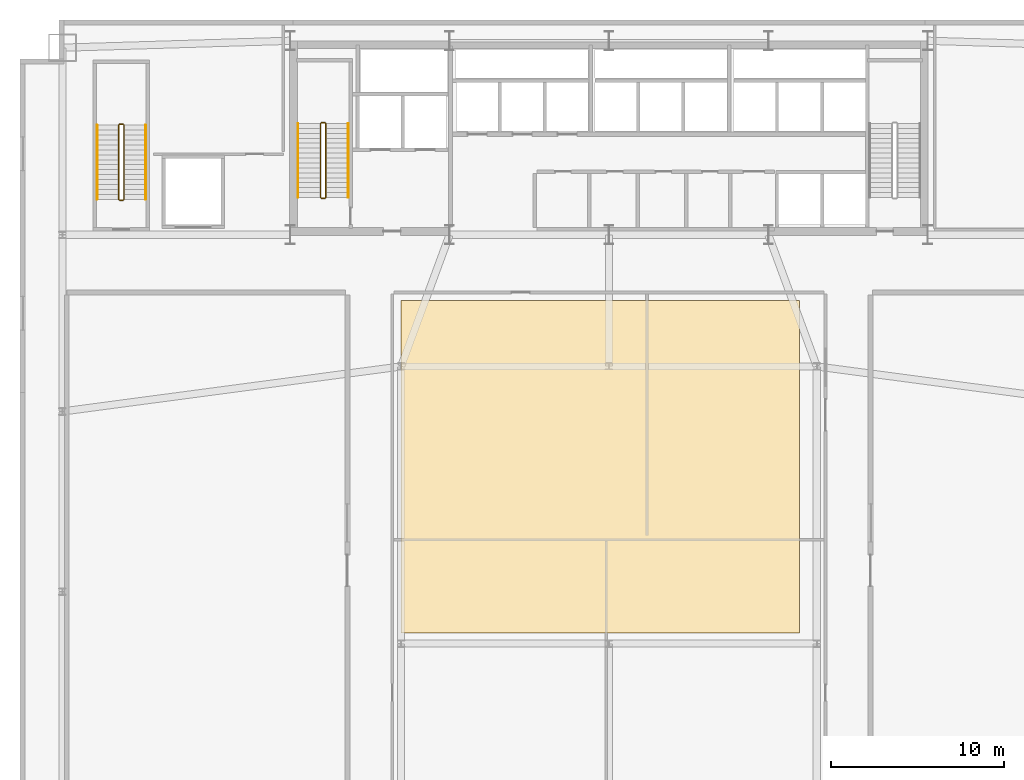
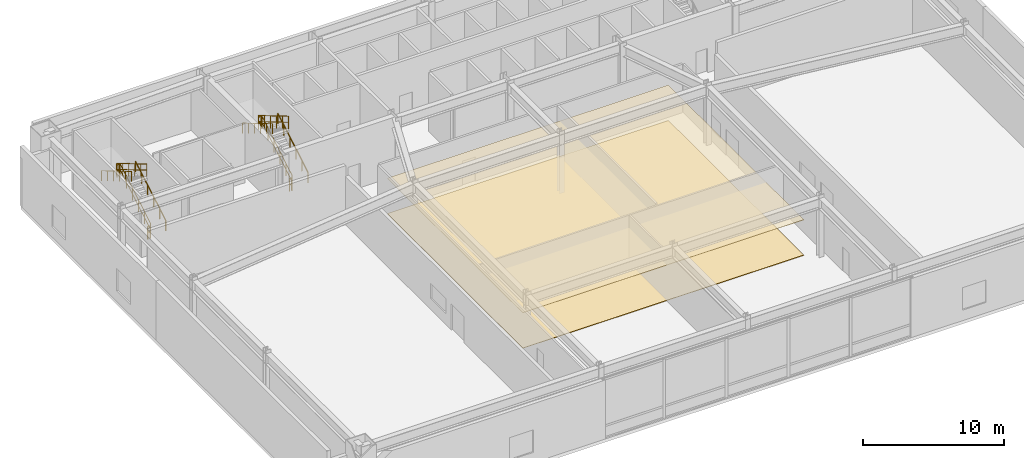
# One storey, part 11 of 12: 12 railings, 2 coverings.
"""IFC4 building model written with IfcOpenShell, lengths in metres."""

import ifcopenshell
import ifcopenshell.guid

model = None  # the IFC model being written
_history = None  # IfcOwnerHistory: only IFC2X3 demands one
_inside = {}  # id of a spatial element -> (the spatial element, [elements in it])
_under = {}  # id of a project, library or spatial element -> (it, [spatial elements below it])
_declared = {}  # id of a project -> (the project, [libraries it declares])
_typed = {}  # id of a type object -> (the type object, [elements of that type])
_made_of = {}  # id of a material, layer set ... -> (it, [elements and type objects made of it])


def new_model(schema):
    """Start an empty IFC model of exactly this schema.

    Asked for "IFC4X3", IfcOpenShell would pick the latest addendum, in which some entities
    have other attributes; the version numbers below select the first issue.
    IFC2X3 requires an IfcOwnerHistory on every rooted entity: one is made here for all.
    """
    global model, _history
    if schema == "IFC4X3":
        model = ifcopenshell.file(schema_version=(4, 3, 0, 0))
    else:
        model = ifcopenshell.file(schema=schema)
    _inside.clear()
    _under.clear()
    _declared.clear()
    _typed.clear()
    _made_of.clear()
    _history = None
    if model.schema == "IFC2X3":
        org = make("IfcOrganization", Name="unknown")
        user = make(
            "IfcPersonAndOrganization",
            ThePerson=make("IfcPerson", FamilyName="unknown"),
            TheOrganization=org,
        )
        app = make(
            "IfcApplication",
            ApplicationDeveloper=org,
            Version="unknown",
            ApplicationFullName="unknown",
            ApplicationIdentifier="unknown",
        )
        _history = make(
            "IfcOwnerHistory",
            OwningUser=user,
            OwningApplication=app,
            ChangeAction="ADDED",
            CreationDate=0,
        )
    return model


def make(cls, **values):
    """One entity of the class cls with the attributes given. An attribute that is None is left unset."""
    return model.create_entity(
        cls, **{name: value for name, value in values.items() if value is not None}
    )


def rooted(cls, **values):
    """An entity with a GlobalId (a new one), such as an element, a storey or a relation."""
    return make(cls, GlobalId=ifcopenshell.guid.new(), OwnerHistory=_history, **values)


def si_unit(unit_type, name, prefix=None):
    """IfcSIUnit, for example si_unit("LENGTHUNIT", "METRE", prefix="MILLI")."""
    return make("IfcSIUnit", UnitType=unit_type, Prefix=prefix, Name=name)


def assignment(units):
    """IfcUnitAssignment: the units of a project."""
    return None if units is None else make("IfcUnitAssignment", Units=units)


def point(xyz):
    """IfcCartesianPoint."""
    return None if xyz is None else make("IfcCartesianPoint", Coordinates=xyz)


def direction(xyz):
    """IfcDirection."""
    return None if xyz is None else make("IfcDirection", DirectionRatios=xyz)


def frame(location, z_axis=None, x_axis=None):
    """IfcAxis2Placement3D, a coordinate frame: its origin and axes. An axis left out is left unset."""
    return make(
        "IfcAxis2Placement3D",
        Location=point(location),
        Axis=direction(z_axis),
        RefDirection=direction(x_axis),
    )


def frame_2d(location, x_axis=None):
    """IfcAxis2Placement2D, a coordinate frame in the plane: its origin and x axis."""
    return make(
        "IfcAxis2Placement2D", Location=point(location), RefDirection=direction(x_axis)
    )


def origin():
    """The frame at (0, 0, 0) with its axes left unset."""
    return frame((0.0, 0.0, 0.0))


def origin_2d():
    """The frame at (0, 0) in the plane with its x axis left unset."""
    return frame_2d((0.0, 0.0))


def place(relative_to, where):
    """IfcLocalPlacement: puts the frame where relative to a parent placement (None: the world)."""
    return make(
        "IfcLocalPlacement", PlacementRelTo=relative_to, RelativePlacement=where
    )


def context(
    kind, dimensions, precision=None, world=None, true_north=None, identifier=None
):
    """IfcGeometricRepresentationContext, for example the 3D "Model" context."""
    return make(
        "IfcGeometricRepresentationContext",
        ContextIdentifier=identifier,
        ContextType=kind,
        CoordinateSpaceDimension=dimensions,
        Precision=precision,
        WorldCoordinateSystem=world,
        TrueNorth=true_north,
    )


def subcontext(parent, identifier, kind, view, scale=None):
    """IfcGeometricRepresentationSubContext, for example "Body" below "Model"."""
    return make(
        "IfcGeometricRepresentationSubContext",
        ContextIdentifier=identifier,
        ContextType=kind,
        ParentContext=parent,
        TargetScale=scale,
        TargetView=view,
    )


def project(units=None, contexts=None):
    """IfcProject with its units and contexts."""
    return rooted(
        "IfcProject",
        Name="project",
        RepresentationContexts=contexts,
        UnitsInContext=assignment(units),
    )


def spatial(cls, under=None, at=None, **own):
    """A site, building, storey or space (cls), placed at a placement, below another one or the project."""
    s = rooted(cls, ObjectPlacement=at, **own)
    if under is not None:
        _under.setdefault(under.id(), (under, []))[1].append(s)
    return s


def polyline(points):
    """IfcPolyline through the points."""
    return make("IfcPolyline", Points=[point(p) for p in points])


def profile(cls, at=None, kind="AREA", **sizes):
    """A parametric profile (cls). Its sizes go by their IFC names, for example OverallWidth=200.0."""
    return make(cls, ProfileType=kind, Position=at, **sizes)


def rectangle(**sizes):
    """IfcRectangleProfileDef."""
    return profile("IfcRectangleProfileDef", **sizes)


def outline(outer, holes=None, kind="AREA"):
    """IfcArbitraryClosedProfileDef: a profile drawn as a closed curve; with holes, ...WithVoids."""
    if holes is None:
        return make("IfcArbitraryClosedProfileDef", ProfileType=kind, OuterCurve=outer)
    return make(
        "IfcArbitraryProfileDefWithVoids",
        ProfileType=kind,
        OuterCurve=outer,
        InnerCurves=holes,
    )


def extrude(swept, where, along, depth):
    """IfcExtrudedAreaSolid: the profile swept, set in the frame where, extruded along a direction by depth."""
    return make(
        "IfcExtrudedAreaSolid",
        SweptArea=swept,
        Position=where,
        ExtrudedDirection=direction(along),
        Depth=depth,
    )


def shape(context_of_items, identifier, shape_type, items):
    """IfcShapeRepresentation: the items that make up one representation, for example the "Body"."""
    return make(
        "IfcShapeRepresentation",
        ContextOfItems=context_of_items,
        RepresentationIdentifier=identifier,
        RepresentationType=shape_type,
        Items=items,
    )


def material(Name=None, Category=None):
    """IfcMaterial."""
    return make("IfcMaterial", Name=Name, Category=Category)


def layer(
    of_material, thickness, ventilated=None, Name=None, Category=None, Priority=None
):
    """IfcMaterialLayer: one layer of a wall or slab, of a material (None: an air gap)."""
    return make(
        "IfcMaterialLayer",
        Material=of_material,
        LayerThickness=thickness,
        IsVentilated=ventilated,
        Name=Name,
        Category=Category,
        Priority=Priority,
    )


def layer_set(layers, Name=None):
    """IfcMaterialLayerSet."""
    return make("IfcMaterialLayerSet", MaterialLayers=layers, LayerSetName=Name)


def made_of(thing, what):
    """Note that an element or type object is made of a material, layer set ...; save() writes the relation."""
    if what is not None:
        _made_of.setdefault(what.id(), (what, []))[1].append(thing)
    return thing


def type_object(cls, material=None, **own):
    """A type object (cls), such as IfcWallType, which elements share."""
    return made_of(rooted(cls, **own), material)


def element(
    cls,
    number,
    at=None,
    inside=None,
    cuts=None,
    type_object=None,
    material=None,
    context=None,
    identifier="Body",
    shape_type=None,
    held_by="IfcProductDefinitionShape",
    body=None,
    shapes=None,
    **own,
):
    """One element of the class cls, such as IfcWall. Its Tag is "e" and its number.

    at: its placement. inside: the storey or other place that contains it. cuts: it is an
    opening in that element (IfcRelVoidsElement). A single representation is given by context,
    identifier, shape_type and body (its items); several are given by shapes. held_by: the class
    of the entity that holds the representations. save() writes the other relations.
    """
    e = rooted(cls, Tag="e%d" % number, ObjectPlacement=at, **own)
    if body is not None:
        shapes = [shape(context, identifier, shape_type, body)]
    if shapes is not None:
        e.Representation = make(held_by, Representations=shapes)
    if inside is not None:
        _inside.setdefault(inside.id(), (inside, []))[1].append(e)
    if cuts is not None:
        rooted(
            "IfcRelVoidsElement", RelatingBuildingElement=cuts, RelatedOpeningElement=e
        )
    if type_object is not None:
        _typed.setdefault(type_object.id(), (type_object, []))[1].append(e)
    return made_of(e, material)


def aggregate(whole, parts):
    """IfcRelAggregates: a whole, such as a stair, and the parts it consists of."""
    return rooted("IfcRelAggregates", RelatingObject=whole, RelatedObjects=parts)


def save(model, path):
    """Write the relations noted so far, then the file.

    IfcRelAggregates (storeys below a building ...), IfcRelContainedInSpatialStructure (elements
    in a storey), IfcRelDefinesByType, IfcRelAssociatesMaterial and IfcRelDeclares: one each for
    every whole, place, type object, material and project.
    """
    for whole, parts in _under.values():
        aggregate(whole, parts)
    for where, things in _inside.values():
        rooted(
            "IfcRelContainedInSpatialStructure",
            RelatedElements=things,
            RelatingStructure=where,
        )
    for kind, things in _typed.values():
        rooted("IfcRelDefinesByType", RelatedObjects=things, RelatingType=kind)
    for what, things in _made_of.values():
        rooted("IfcRelAssociatesMaterial", RelatedObjects=things, RelatingMaterial=what)
    for by, libraries in _declared.values():
        rooted("IfcRelDeclares", RelatingContext=by, RelatedDefinitions=libraries)
    model.write(path)


model = new_model("IFC4")

# Units and contexts
model_context = context("Model", 3, precision=1e-05, world=origin(), true_north=direction((0.0, 1.0)))
body_context = subcontext(model_context, "Body", "Model", "MODEL_VIEW")
ifc_project = project(units=[si_unit("LENGTHUNIT", "METRE"), si_unit("AREAUNIT", "SQUARE_METRE"), si_unit("VOLUMEUNIT", "CUBIC_METRE"), si_unit("PLANEANGLEUNIT", "RADIAN"), si_unit("MASSUNIT", "GRAM", prefix="KILO")], contexts=[model_context])

# Site, building, storey
site_placement = place(None, origin())
site = spatial("IfcSite", under=ifc_project, at=site_placement, CompositionType="ELEMENT")
building_placement = place(site_placement, origin())
building = spatial("IfcBuilding", under=site, at=building_placement, Name="Varnel Quay Broadcast Tower", CompositionType="ELEMENT")
storey_placement = place(building_placement, frame((0.0, 0.0, 11.39990234375)))
storey = spatial("IfcBuildingStorey", under=building, at=storey_placement, Name="L02", CompositionType="ELEMENT", Elevation=11.39990234375)

# Coverings
ifc_material_1 = material(Name="Micro-Perforated Acoustic Ceiling Tile")
ifc_layer_1 = layer(ifc_material_1, 0.0400390625, Name="Micro-Perforated Acoustic Ceiling Tile")
ifc_layer_set_1 = layer_set([ifc_layer_1], Name="Micro-Perforated Acoustic Ceiling Tile")
covering_type_1 = type_object("IfcCoveringType", Name="Cov_AcousticCeiling", PredefinedType="CEILING", material=ifc_layer_set_1)
covering_1_placement = place(storey_placement, frame((0.0, 0.0, 3.06005859375)))
element("IfcCovering", 1, at=covering_1_placement, inside=storey, type_object=covering_type_1, Name="L02 Acoustic Suspended Ceiling", PredefinedType="CEILING", context=body_context, shape_type="SweptSolid", body=[
    extrude(outline(polyline([(22.0, 12.60009765625), (45.0, 12.60009765625), (45.0, 31.800048828125), (22.0, 31.800048828125), (22.0, 12.60009765625)])), origin(), (0.0, 0.0, 1.0), 0.0400390625),
])
ifc_material_2 = material(Name="Polished Terrazzo & Broadcast Raised Flooring")
ifc_layer_2 = layer(ifc_material_2, 0.0400390625, Name="Polished Terrazzo & Broadcast Raised Flooring")
ifc_layer_set_2 = layer_set([ifc_layer_2], Name="Polished Terrazzo & Broadcast Raised Flooring")
covering_type_2 = type_object("IfcCoveringType", Name="Cov_TerrazzoFloor", PredefinedType="FLOORING", material=ifc_layer_set_2)
covering_2_placement = place(storey_placement, origin())
element("IfcCovering", 2, at=covering_2_placement, inside=storey, type_object=covering_type_2, Name="L02 Broadcast Raised Terrazzo Flooring", PredefinedType="FLOORING", context=body_context, shape_type="SweptSolid", body=[
    extrude(outline(polyline([(22.0, 12.60009765625), (45.0, 12.60009765625), (45.0, 31.800048828125), (22.0, 31.800048828125), (22.0, 12.60009765625)])), origin(), (0.0, 0.0, 1.0), 0.0400390625),
])

# Railings
ifc_material_3 = material(Name="Painted Steel Guard and Handrail CSA G40.21 350W", Category="steel")
railing_type_1 = type_object("IfcRailingType", Name="Rail_StairGuard1100", PredefinedType="GUARDRAIL", material=ifc_material_3)
railing_1_placement = place(storey_placement, frame((17.64990234375, 37.75, 0.1689453125)))
element("IfcRailing", 3, at=railing_1_placement, inside=storey, type_object=railing_type_1, Name="L02 ST-01 stair guard 1", PredefinedType="GUARDRAIL", context=body_context, shape_type="SweptSolid", body=[
    extrude(rectangle(XDim=0.048095703125, YDim=0.048095703125, at=origin_2d()), frame((0.0, 0.0, 1.076171875), z_axis=(0.0, 0.860470286479, 0.509500624227), x_axis=(-1.0, 0.0, 0.0)), (0.0, 0.0, 1.0), 4.968017578125),
    extrude(rectangle(XDim=0.048095703125, YDim=0.048095703125, at=origin_2d()), frame((0.0, 0.0, 0.550048828125), z_axis=(0.0, 0.860470286479, 0.509500624227), x_axis=(-1.0, 0.0, 0.0)), (0.0, 0.0, 1.0), 4.968017578125),
    extrude(rectangle(XDim=0.0419921875, YDim=0.0419921875, at=origin_2d()), origin(), (0.0, 0.0, 1.0), 1.052001953125),
    extrude(rectangle(XDim=0.0419921875, YDim=0.0419921875, at=origin_2d()), frame((0.0, 0.85498046875, 0.50634765625)), (0.0, 0.0, 1.0), 1.052001953125),
    extrude(rectangle(XDim=0.0419921875, YDim=0.0419921875, at=origin_2d()), frame((0.0, 1.7099609375, 1.012451171875)), (0.0, 0.0, 1.0), 1.052001953125),
    extrude(rectangle(XDim=0.0419921875, YDim=0.0419921875, at=origin_2d()), frame((0.0, 2.56494140625, 1.518798828125)), (0.0, 0.0, 1.0), 1.052001953125),
    extrude(rectangle(XDim=0.0419921875, YDim=0.0419921875, at=origin_2d()), frame((0.0, 3.419921875, 2.02490234375)), (0.0, 0.0, 1.0), 1.052001953125),
    extrude(rectangle(XDim=0.0419921875, YDim=0.0419921875, at=origin_2d()), frame((0.0, 4.27490234375, 2.53125)), (0.0, 0.0, 1.0), 1.052001953125),
])
railing_2_placement = place(storey_placement, frame((17.60009765625, 42.074951171875, 2.7001953125)))
element("IfcRailing", 4, at=railing_2_placement, inside=storey, type_object=railing_type_1, Name="L02 ST-01 stair guard 2", PredefinedType="GUARDRAIL", context=body_context, shape_type="SweptSolid", body=[
    extrude(rectangle(XDim=0.048095703125, YDim=0.048095703125, at=origin_2d()), frame((0.0, 0.0, 1.076171875), z_axis=(-1.0, 0.0, 0.0), x_axis=(0.0, -1.0, 0.0)), (0.0, 0.0, 1.0), 0.2001953125),
    extrude(rectangle(XDim=0.048095703125, YDim=0.048095703125, at=origin_2d()), frame((0.0, 0.0, 0.550048828125), z_axis=(-1.0, 0.0, 0.0), x_axis=(0.0, -1.0, 0.0)), (0.0, 0.0, 1.0), 0.2001953125),
    extrude(rectangle(XDim=0.0419921875, YDim=0.0419921875, at=origin_2d()), origin(), (0.0, 0.0, 1.0), 1.052001953125),
    extrude(rectangle(XDim=0.0419921875, YDim=0.0419921875, at=origin_2d()), frame((-0.2001953125, 0.0, 0.0)), (0.0, 0.0, 1.0), 1.052001953125),
])
railing_3_placement = place(storey_placement, frame((17.35009765625, 42.02490234375, 2.868896484375)))
element("IfcRailing", 5, at=railing_3_placement, inside=storey, type_object=railing_type_1, Name="L02 ST-01 stair guard 3", PredefinedType="GUARDRAIL", context=body_context, shape_type="SweptSolid", body=[
    extrude(rectangle(XDim=0.048095703125, YDim=0.048095703125, at=origin_2d()), frame((0.0, 0.0, 1.076171875), z_axis=(0.0, -0.860470286479, 0.509500624227), x_axis=(1.0, 0.0, 0.0)), (0.0, 0.0, 1.0), 4.968017578125),
    extrude(rectangle(XDim=0.048095703125, YDim=0.048095703125, at=origin_2d()), frame((0.0, 0.0, 0.550048828125), z_axis=(0.0, -0.860470286479, 0.509500624227), x_axis=(1.0, 0.0, 0.0)), (0.0, 0.0, 1.0), 4.968017578125),
    extrude(rectangle(XDim=0.0419921875, YDim=0.0419921875, at=origin_2d()), origin(), (0.0, 0.0, 1.0), 1.052001953125),
    extrude(rectangle(XDim=0.0419921875, YDim=0.0419921875, at=origin_2d()), frame((0.0, -0.85498046875, 0.50634765625)), (0.0, 0.0, 1.0), 1.052001953125),
    extrude(rectangle(XDim=0.0419921875, YDim=0.0419921875, at=origin_2d()), frame((0.0, -1.7099609375, 1.012451171875)), (0.0, 0.0, 1.0), 1.052001953125),
    extrude(rectangle(XDim=0.0419921875, YDim=0.0419921875, at=origin_2d()), frame((0.0, -2.56494140625, 1.518798828125)), (0.0, 0.0, 1.0), 1.052001953125),
    extrude(rectangle(XDim=0.0419921875, YDim=0.0419921875, at=origin_2d()), frame((0.0, -3.419921875, 2.02490234375)), (0.0, 0.0, 1.0), 1.052001953125),
    extrude(rectangle(XDim=0.0419921875, YDim=0.0419921875, at=origin_2d()), frame((0.0, -4.27490234375, 2.53125)), (0.0, 0.0, 1.0), 1.052001953125),
])
railing_4_placement = place(storey_placement, frame((17.60009765625, 37.699951171875, 0.0)))
element("IfcRailing", 6, at=railing_4_placement, inside=storey, type_object=railing_type_1, Name="L02 ST-01 stair guard 4", PredefinedType="GUARDRAIL", context=body_context, shape_type="SweptSolid", body=[
    extrude(rectangle(XDim=0.048095703125, YDim=0.048095703125, at=origin_2d()), frame((0.0, 0.0, 1.076171875), z_axis=(-1.0, 0.0, 0.0), x_axis=(0.0, -1.0, 0.0)), (0.0, 0.0, 1.0), 0.2001953125),
    extrude(rectangle(XDim=0.048095703125, YDim=0.048095703125, at=origin_2d()), frame((0.0, 0.0, 0.550048828125), z_axis=(-1.0, 0.0, 0.0), x_axis=(0.0, -1.0, 0.0)), (0.0, 0.0, 1.0), 0.2001953125),
    extrude(rectangle(XDim=0.0419921875, YDim=0.0419921875, at=origin_2d()), origin(), (0.0, 0.0, 1.0), 1.052001953125),
    extrude(rectangle(XDim=0.0419921875, YDim=0.0419921875, at=origin_2d()), frame((-0.2001953125, 0.0, 0.0)), (0.0, 0.0, 1.0), 1.052001953125),
])
railing_5_placement = place(storey_placement, frame((6.0, 37.64990234375, 0.1689453125)))
element("IfcRailing", 7, at=railing_5_placement, inside=storey, type_object=railing_type_1, Name="L02 ST-03 stair guard 1", PredefinedType="GUARDRAIL", context=body_context, shape_type="SweptSolid", body=[
    extrude(rectangle(XDim=0.048095703125, YDim=0.048095703125, at=origin_2d()), frame((0.0, 0.0, 1.076171875), z_axis=(0.0, 0.860483042394, 0.50947908078), x_axis=(-1.0, 0.0, 0.0)), (0.0, 0.0, 1.0), 4.96826171875),
    extrude(rectangle(XDim=0.048095703125, YDim=0.048095703125, at=origin_2d()), frame((0.0, 0.0, 0.550048828125), z_axis=(0.0, 0.860483042394, 0.50947908078), x_axis=(-1.0, 0.0, 0.0)), (0.0, 0.0, 1.0), 4.96826171875),
    extrude(rectangle(XDim=0.0419921875, YDim=0.0419921875, at=origin_2d()), origin(), (0.0, 0.0, 1.0), 1.052001953125),
    extrude(rectangle(XDim=0.0419921875, YDim=0.0419921875, at=origin_2d()), frame((0.0, 0.85498046875, 0.50634765625)), (0.0, 0.0, 1.0), 1.052001953125),
    extrude(rectangle(XDim=0.0419921875, YDim=0.0419921875, at=origin_2d()), frame((0.0, 1.7099609375, 1.012451171875)), (0.0, 0.0, 1.0), 1.052001953125),
    extrude(rectangle(XDim=0.0419921875, YDim=0.0419921875, at=origin_2d()), frame((0.0, 2.565185546875, 1.518798828125)), (0.0, 0.0, 1.0), 1.052001953125),
    extrude(rectangle(XDim=0.0419921875, YDim=0.0419921875, at=origin_2d()), frame((0.0, 3.420166015625, 2.02490234375)), (0.0, 0.0, 1.0), 1.052001953125),
    extrude(rectangle(XDim=0.0419921875, YDim=0.0419921875, at=origin_2d()), frame((0.0, 4.275146484375, 2.53125)), (0.0, 0.0, 1.0), 1.052001953125),
])
railing_6_placement = place(storey_placement, frame((5.949951171875, 41.97509765625, 2.7001953125)))
element("IfcRailing", 8, at=railing_6_placement, inside=storey, type_object=railing_type_1, Name="L02 ST-03 stair guard 2", PredefinedType="GUARDRAIL", context=body_context, shape_type="SweptSolid", body=[
    extrude(rectangle(XDim=0.048095703125, YDim=0.048095703125, at=origin_2d()), frame((0.0, 0.0, 1.076171875), z_axis=(-1.0, 0.0, 0.0), x_axis=(0.0, -1.0, 0.0)), (0.0, 0.0, 1.0), 0.199951171875),
    extrude(rectangle(XDim=0.048095703125, YDim=0.048095703125, at=origin_2d()), frame((0.0, 0.0, 0.550048828125), z_axis=(-1.0, 0.0, 0.0), x_axis=(0.0, -1.0, 0.0)), (0.0, 0.0, 1.0), 0.199951171875),
    extrude(rectangle(XDim=0.0419921875, YDim=0.0419921875, at=origin_2d()), origin(), (0.0, 0.0, 1.0), 1.052001953125),
    extrude(rectangle(XDim=0.0419921875, YDim=0.0419921875, at=origin_2d()), frame((-0.199951171875, 0.0, 0.0)), (0.0, 0.0, 1.0), 1.052001953125),
])
railing_7_placement = place(storey_placement, frame((5.699951171875, 41.925048828125, 2.868896484375)))
element("IfcRailing", 9, at=railing_7_placement, inside=storey, type_object=railing_type_1, Name="L02 ST-03 stair guard 3", PredefinedType="GUARDRAIL", context=body_context, shape_type="SweptSolid", body=[
    extrude(rectangle(XDim=0.048095703125, YDim=0.048095703125, at=origin_2d()), frame((0.0, 0.0, 1.076171875), z_axis=(0.0, -0.860483042394, 0.50947908078), x_axis=(1.0, 0.0, 0.0)), (0.0, 0.0, 1.0), 4.96826171875),
    extrude(rectangle(XDim=0.048095703125, YDim=0.048095703125, at=origin_2d()), frame((0.0, 0.0, 0.550048828125), z_axis=(0.0, -0.860483042394, 0.50947908078), x_axis=(1.0, 0.0, 0.0)), (0.0, 0.0, 1.0), 4.96826171875),
    extrude(rectangle(XDim=0.0419921875, YDim=0.0419921875, at=origin_2d()), origin(), (0.0, 0.0, 1.0), 1.052001953125),
    extrude(rectangle(XDim=0.0419921875, YDim=0.0419921875, at=origin_2d()), frame((0.0, -0.85498046875, 0.50634765625)), (0.0, 0.0, 1.0), 1.052001953125),
    extrude(rectangle(XDim=0.0419921875, YDim=0.0419921875, at=origin_2d()), frame((0.0, -1.7099609375, 1.012451171875)), (0.0, 0.0, 1.0), 1.052001953125),
    extrude(rectangle(XDim=0.0419921875, YDim=0.0419921875, at=origin_2d()), frame((0.0, -2.565185546875, 1.518798828125)), (0.0, 0.0, 1.0), 1.052001953125),
    extrude(rectangle(XDim=0.0419921875, YDim=0.0419921875, at=origin_2d()), frame((0.0, -3.420166015625, 2.02490234375)), (0.0, 0.0, 1.0), 1.052001953125),
    extrude(rectangle(XDim=0.0419921875, YDim=0.0419921875, at=origin_2d()), frame((0.0, -4.275146484375, 2.53125)), (0.0, 0.0, 1.0), 1.052001953125),
])
railing_8_placement = place(storey_placement, frame((5.949951171875, 37.60009765625, 0.0)))
element("IfcRailing", 10, at=railing_8_placement, inside=storey, type_object=railing_type_1, Name="L02 ST-03 stair guard 4", PredefinedType="GUARDRAIL", context=body_context, shape_type="SweptSolid", body=[
    extrude(rectangle(XDim=0.048095703125, YDim=0.048095703125, at=origin_2d()), frame((0.0, 0.0, 1.076171875), z_axis=(-1.0, 0.0, 0.0), x_axis=(0.0, -1.0, 0.0)), (0.0, 0.0, 1.0), 0.199951171875),
    extrude(rectangle(XDim=0.048095703125, YDim=0.048095703125, at=origin_2d()), frame((0.0, 0.0, 0.550048828125), z_axis=(-1.0, 0.0, 0.0), x_axis=(0.0, -1.0, 0.0)), (0.0, 0.0, 1.0), 0.199951171875),
    extrude(rectangle(XDim=0.0419921875, YDim=0.0419921875, at=origin_2d()), origin(), (0.0, 0.0, 1.0), 1.052001953125),
    extrude(rectangle(XDim=0.0419921875, YDim=0.0419921875, at=origin_2d()), frame((-0.199951171875, 0.0, 0.0)), (0.0, 0.0, 1.0), 1.052001953125),
])
railing_type_2 = type_object("IfcRailingType", Name="Rail_StairHandrail900", PredefinedType="HANDRAIL", material=ifc_material_3)
railing_9_placement = place(storey_placement, frame((18.949951171875, 37.75, 0.1689453125)))
element("IfcRailing", 11, at=railing_9_placement, inside=storey, type_object=railing_type_2, Name="L02 ST-01 stair handrail 1", PredefinedType="HANDRAIL", context=body_context, shape_type="SweptSolid", body=[
    extrude(rectangle(XDim=0.048095703125, YDim=0.048095703125, at=origin_2d()), frame((0.0, 0.0, 0.8759765625), z_axis=(0.0, 0.860470286479, 0.509500624227), x_axis=(-1.0, 0.0, 0.0)), (0.0, 0.0, 1.0), 4.968017578125),
    extrude(rectangle(XDim=0.0419921875, YDim=0.0419921875, at=origin_2d()), origin(), (0.0, 0.0, 1.0), 0.851806640625),
    extrude(rectangle(XDim=0.0419921875, YDim=0.0419921875, at=origin_2d()), frame((0.0, 0.85498046875, 0.50634765625)), (0.0, 0.0, 1.0), 0.851806640625),
    extrude(rectangle(XDim=0.0419921875, YDim=0.0419921875, at=origin_2d()), frame((0.0, 1.7099609375, 1.012451171875)), (0.0, 0.0, 1.0), 0.851806640625),
    extrude(rectangle(XDim=0.0419921875, YDim=0.0419921875, at=origin_2d()), frame((0.0, 2.56494140625, 1.518798828125)), (0.0, 0.0, 1.0), 0.851806640625),
    extrude(rectangle(XDim=0.0419921875, YDim=0.0419921875, at=origin_2d()), frame((0.0, 3.419921875, 2.02490234375)), (0.0, 0.0, 1.0), 0.851806640625),
    extrude(rectangle(XDim=0.0419921875, YDim=0.0419921875, at=origin_2d()), frame((0.0, 4.27490234375, 2.53125)), (0.0, 0.0, 1.0), 0.851806640625),
])
railing_10_placement = place(storey_placement, frame((16.050048828125, 42.02490234375, 2.868896484375)))
element("IfcRailing", 12, at=railing_10_placement, inside=storey, type_object=railing_type_2, Name="L02 ST-01 stair handrail 2", PredefinedType="HANDRAIL", context=body_context, shape_type="SweptSolid", body=[
    extrude(rectangle(XDim=0.048095703125, YDim=0.048095703125, at=origin_2d()), frame((0.0, 0.0, 0.8759765625), z_axis=(0.0, -0.860470286479, 0.509500624227), x_axis=(1.0, 0.0, 0.0)), (0.0, 0.0, 1.0), 4.968017578125),
    extrude(rectangle(XDim=0.0419921875, YDim=0.0419921875, at=origin_2d()), origin(), (0.0, 0.0, 1.0), 0.851806640625),
    extrude(rectangle(XDim=0.0419921875, YDim=0.0419921875, at=origin_2d()), frame((0.0, -0.85498046875, 0.50634765625)), (0.0, 0.0, 1.0), 0.851806640625),
    extrude(rectangle(XDim=0.0419921875, YDim=0.0419921875, at=origin_2d()), frame((0.0, -1.7099609375, 1.012451171875)), (0.0, 0.0, 1.0), 0.851806640625),
    extrude(rectangle(XDim=0.0419921875, YDim=0.0419921875, at=origin_2d()), frame((0.0, -2.56494140625, 1.518798828125)), (0.0, 0.0, 1.0), 0.851806640625),
    extrude(rectangle(XDim=0.0419921875, YDim=0.0419921875, at=origin_2d()), frame((0.0, -3.419921875, 2.02490234375)), (0.0, 0.0, 1.0), 0.851806640625),
    extrude(rectangle(XDim=0.0419921875, YDim=0.0419921875, at=origin_2d()), frame((0.0, -4.27490234375, 2.53125)), (0.0, 0.0, 1.0), 0.851806640625),
])
railing_11_placement = place(storey_placement, frame((7.25, 37.64990234375, 0.1689453125)))
element("IfcRailing", 13, at=railing_11_placement, inside=storey, type_object=railing_type_2, Name="L02 ST-03 stair handrail 1", PredefinedType="HANDRAIL", context=body_context, shape_type="SweptSolid", body=[
    extrude(rectangle(XDim=0.048095703125, YDim=0.048095703125, at=origin_2d()), frame((0.0, 0.0, 0.8759765625), z_axis=(0.0, 0.860483042394, 0.50947908078), x_axis=(-1.0, 0.0, 0.0)), (0.0, 0.0, 1.0), 4.96826171875),
    extrude(rectangle(XDim=0.0419921875, YDim=0.0419921875, at=origin_2d()), origin(), (0.0, 0.0, 1.0), 0.851806640625),
    extrude(rectangle(XDim=0.0419921875, YDim=0.0419921875, at=origin_2d()), frame((0.0, 0.85498046875, 0.50634765625)), (0.0, 0.0, 1.0), 0.851806640625),
    extrude(rectangle(XDim=0.0419921875, YDim=0.0419921875, at=origin_2d()), frame((0.0, 1.7099609375, 1.012451171875)), (0.0, 0.0, 1.0), 0.851806640625),
    extrude(rectangle(XDim=0.0419921875, YDim=0.0419921875, at=origin_2d()), frame((0.0, 2.565185546875, 1.518798828125)), (0.0, 0.0, 1.0), 0.851806640625),
    extrude(rectangle(XDim=0.0419921875, YDim=0.0419921875, at=origin_2d()), frame((0.0, 3.420166015625, 2.02490234375)), (0.0, 0.0, 1.0), 0.851806640625),
    extrude(rectangle(XDim=0.0419921875, YDim=0.0419921875, at=origin_2d()), frame((0.0, 4.275146484375, 2.53125)), (0.0, 0.0, 1.0), 0.851806640625),
])
railing_12_placement = place(storey_placement, frame((4.449951171875, 41.925048828125, 2.868896484375)))
element("IfcRailing", 14, at=railing_12_placement, inside=storey, type_object=railing_type_2, Name="L02 ST-03 stair handrail 2", PredefinedType="HANDRAIL", context=body_context, shape_type="SweptSolid", body=[
    extrude(rectangle(XDim=0.048095703125, YDim=0.048095703125, at=origin_2d()), frame((0.0, 0.0, 0.8759765625), z_axis=(0.0, -0.860483042394, 0.50947908078), x_axis=(1.0, 0.0, 0.0)), (0.0, 0.0, 1.0), 4.96826171875),
    extrude(rectangle(XDim=0.0419921875, YDim=0.0419921875, at=origin_2d()), origin(), (0.0, 0.0, 1.0), 0.851806640625),
    extrude(rectangle(XDim=0.0419921875, YDim=0.0419921875, at=origin_2d()), frame((0.0, -0.85498046875, 0.50634765625)), (0.0, 0.0, 1.0), 0.851806640625),
    extrude(rectangle(XDim=0.0419921875, YDim=0.0419921875, at=origin_2d()), frame((0.0, -1.7099609375, 1.012451171875)), (0.0, 0.0, 1.0), 0.851806640625),
    extrude(rectangle(XDim=0.0419921875, YDim=0.0419921875, at=origin_2d()), frame((0.0, -2.565185546875, 1.518798828125)), (0.0, 0.0, 1.0), 0.851806640625),
    extrude(rectangle(XDim=0.0419921875, YDim=0.0419921875, at=origin_2d()), frame((0.0, -3.420166015625, 2.02490234375)), (0.0, 0.0, 1.0), 0.851806640625),
    extrude(rectangle(XDim=0.0419921875, YDim=0.0419921875, at=origin_2d()), frame((0.0, -4.275146484375, 2.53125)), (0.0, 0.0, 1.0), 0.851806640625),
])

save(model, "model.ifc")
